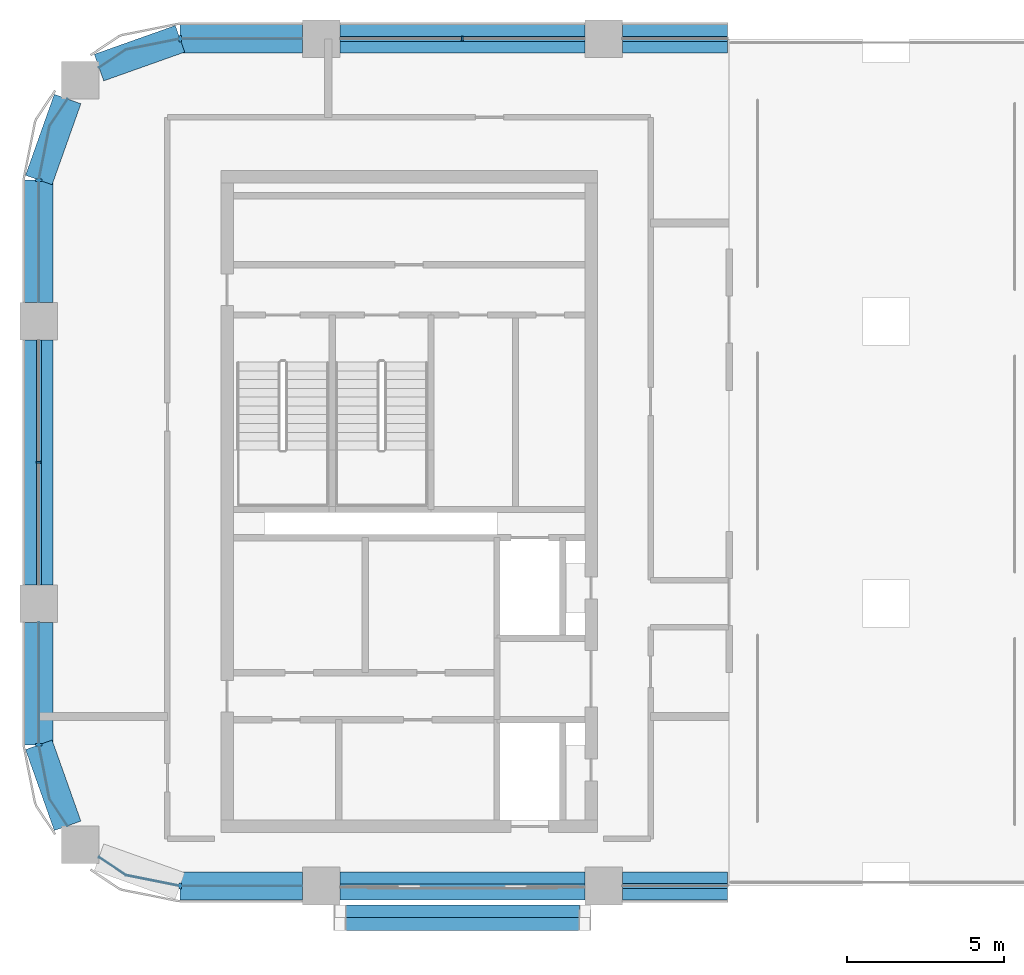
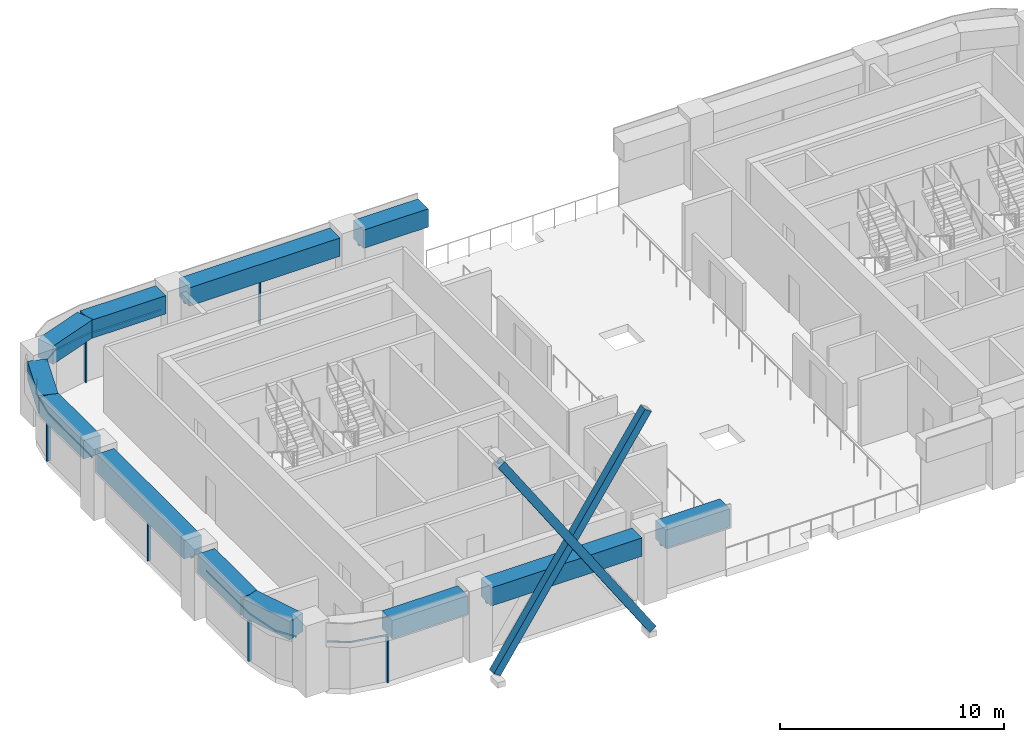
# One storey, part 2 of 11: 17 members, 12 beams, 9 elements without a shape of their own.
"""IFC4 building model written with IfcOpenShell, lengths in metres."""

from ifc_helpers import new_model, si_unit, direction, frame, origin, origin_2d, place, context, subcontext, project, spatial, polyline, rectangle, hollow_rectangle, outline, extrude, material, material_profile, profile_set, type_object, element, aggregate, save


model = new_model("IFC4")

# Units and contexts
model_context = context("Model", 3, precision=1e-05, world=origin(), true_north=direction((0.0, 1.0)))
body_context = subcontext(model_context, "Body", "Model", "MODEL_VIEW")
ifc_project = project(units=[si_unit("LENGTHUNIT", "METRE"), si_unit("AREAUNIT", "SQUARE_METRE"), si_unit("VOLUMEUNIT", "CUBIC_METRE"), si_unit("PLANEANGLEUNIT", "RADIAN"), si_unit("MASSUNIT", "GRAM", prefix="KILO")], contexts=[model_context])

# Site, building, storey
site_placement = place(None, origin())
site = spatial("IfcSite", under=ifc_project, at=site_placement, CompositionType="ELEMENT")
building_placement = place(site_placement, origin())
building = spatial("IfcBuilding", under=site, at=building_placement, Name="Tessera Arch", CompositionType="ELEMENT")
storey_placement = place(building_placement, frame((0.0, 0.0, 203.300048828125)))
storey = spatial("IfcBuildingStorey", under=building, at=storey_placement, Name="L48", CompositionType="ELEMENT", Elevation=203.300048828125)

# Members
ifc_material_1 = material(Name="Steel A500 Gr C", Category="steel")
ifc_material_profile_1 = material_profile(ifc_material_1, hollow_rectangle(XDim=0.406494140625, YDim=0.406494140625, WallThickness=0.0146484375, at=origin_2d()), Name="HSS16x16x5/8")
ifc_profile_set_1 = profile_set([ifc_material_profile_1], Name="Steel A500 Gr C")
member_type_1 = type_object("IfcMemberType", Name="Brace HSS16x16x5/8 Steel A500 Gr C", PredefinedType="BRACE", material=ifc_profile_set_1)
for number, where, z_axis, x_axis, name in (
    (1, (9.60009765625, 26.19677734375, -0.800048828125), (0.55469218281, 0.0, 0.832055636559), (0.0, 1.0, 0.0), "Brace S27.0-0 A L48-L50"),
    (2, (17.39990234375, 25.790283203125, -0.800048828125), (-0.55469218281, 0.0, 0.832055636559), (0.0, -1.0, 0.0), "Brace S27.0-0 B L48-L50"),
):
    element("IfcMember", number, at=place(storey_placement, frame(where, z_axis=z_axis, x_axis=x_axis)), inside=storey, type_object=member_type_1, Name=name, PredefinedType="BRACE", context=body_context, shape_type="SweptSolid", body=[
        extrude(hollow_rectangle(XDim=0.406494140625, YDim=0.406494140625, WallThickness=0.0146484375, at=origin_2d()), origin(), (0.0, 0.0, 1.0), 14.0615234375),
    ])

# Curtain wall, member
ifc_material_2 = material(Name="CW1 curtain wall")
curtain_wall_type_1 = type_object("IfcCurtainWallType", Name="CW1 curtain wall", PredefinedType="NOTDEFINED", material=ifc_material_2)
curtain_wall_1_placement = place(storey_placement, origin())
curtain_wall_1 = element("IfcCurtainWall", 3, at=curtain_wall_1_placement, inside=storey, type_object=curtain_wall_type_1, Name="CW1 curtain wall N54.0/1 L48", PredefinedType="NOTDEFINED")
ifc_material_3 = material(Name="Anodised aluminium pale metal", Category="aluminium")
ifc_material_profile_2 = material_profile(ifc_material_3, rectangle(XDim=0.159912109375, YDim=0.06005859375, at=origin_2d()), Name="AL 60x160")
ifc_profile_set_2 = profile_set([ifc_material_profile_2], Name="Anodised aluminium pale metal")
member_type_2 = type_object("IfcMemberType", Name="CW1 mullion", PredefinedType="MULLION", material=ifc_profile_set_2)
member_1_placement = place(storey_placement, frame((13.5, 54.0, 0.0), z_axis=(0.0, 0.0, 1.0), x_axis=(0.0, -1.0, 0.0)))
member_1 = element("IfcMember", 4, at=member_1_placement, type_object=member_type_2, Name="CW1 mullion N54.0/1 1", PredefinedType="MULLION", context=body_context, shape_type="SweptSolid", body=[
    extrude(rectangle(XDim=0.159912109375, YDim=0.06005859375, at=origin_2d()), origin(), (0.0, 0.0, 1.0), 2.5),
])

curtain_wall_2_placement = place(storey_placement, origin())
curtain_wall_2 = element("IfcCurtainWall", 5, at=curtain_wall_2_placement, inside=storey, type_object=curtain_wall_type_1, Name="CW1 curtain wall W0.27/1 L48", PredefinedType="NOTDEFINED")
member_2_placement = place(storey_placement, frame((0.0, 40.5, 0.0), z_axis=(0.0, 0.0, 1.0), x_axis=(1.0, 0.0, 0.0)))
member_2 = element("IfcMember", 6, at=member_2_placement, type_object=member_type_2, Name="CW1 mullion W0.27/1 1", PredefinedType="MULLION", context=body_context, shape_type="SweptSolid", body=[
    extrude(rectangle(XDim=0.159912109375, YDim=0.06005859375, at=origin_2d()), origin(), (0.0, 0.0, 1.0), 2.5),
])

curtain_wall_3_placement = place(storey_placement, origin())
curtain_wall_3 = element("IfcCurtainWall", 7, at=curtain_wall_3_placement, inside=storey, type_object=curtain_wall_type_1, Name="CW1 curtain wall S27.0/1 L48", PredefinedType="NOTDEFINED")
ifc_material_4 = material(Name="Anodised aluminium pale metal", Category="aluminium")
ifc_material_profile_3 = material_profile(ifc_material_4, rectangle(XDim=0.159912109375, YDim=0.10009765625, at=origin_2d()), Name="AL 160x100")
ifc_profile_set_3 = profile_set([ifc_material_profile_3], Name="Anodised aluminium pale metal")
member_type_3 = type_object("IfcMemberType", Name="CW1 transom", PredefinedType="USERDEFINED", material=ifc_profile_set_3)
member_3_placement = place(storey_placement, frame((18.60009765625, 27.0, 2.550048828125), z_axis=(1.0, 0.0, 0.0), x_axis=(0.0, 1.0, 0.0)))
member_3 = element("IfcMember", 8, at=member_3_placement, type_object=member_type_3, Name="CW1 transom S27.0/1 1.1", ObjectType="TRANSOM", PredefinedType="USERDEFINED", context=body_context, shape_type="SweptSolid", body=[
    extrude(rectangle(XDim=0.159912109375, YDim=0.10009765625, at=origin_2d()), origin(), (0.0, 0.0, 1.0), 3.349853515625),
])
aggregate(curtain_wall_3, [member_3])

curtain_wall_4_placement = place(storey_placement, origin())
curtain_wall_4 = element("IfcCurtainWall", 9, at=curtain_wall_4_placement, inside=storey, type_object=curtain_wall_type_1, Name="CW1 curtain wall N54.0/0 L48", PredefinedType="NOTDEFINED")
member_4_placement = place(storey_placement, frame((21.949951171875, 54.0, 2.550048828125), z_axis=(-1.0, 0.0, 0.0), x_axis=(0.0, -1.0, 0.0)))
member_4 = element("IfcMember", 10, at=member_4_placement, type_object=member_type_3, Name="CW1 transom N54.0/0 1.1", ObjectType="TRANSOM", PredefinedType="USERDEFINED", context=body_context, shape_type="SweptSolid", body=[
    extrude(rectangle(XDim=0.159912109375, YDim=0.10009765625, at=origin_2d()), origin(), (0.0, 0.0, 1.0), 3.349853515625),
])
aggregate(curtain_wall_4, [member_4])

# Member
member_5_placement = place(storey_placement, frame((17.39990234375, 54.0, 2.550048828125), z_axis=(-1.0, 0.0, 0.0), x_axis=(0.0, -1.0, 0.0)))
member_5 = element("IfcMember", 11, at=member_5_placement, type_object=member_type_3, Name="CW1 transom N54.0/1 1.1", ObjectType="TRANSOM", PredefinedType="USERDEFINED", context=body_context, shape_type="SweptSolid", body=[
    extrude(rectangle(XDim=0.159912109375, YDim=0.10009765625, at=origin_2d()), origin(), (0.0, 0.0, 1.0), 7.7998046875),
])

aggregate(curtain_wall_1, [member_1, member_5])

member_6_placement = place(storey_placement, frame((0.0, 44.39990234375, 2.550048828125), z_axis=(0.0, -1.0, 0.0), x_axis=(1.0, 0.0, 0.0)))
member_6 = element("IfcMember", 12, at=member_6_placement, type_object=member_type_3, Name="CW1 transom W0.27/1 1.1", ObjectType="TRANSOM", PredefinedType="USERDEFINED", context=body_context, shape_type="SweptSolid", body=[
    extrude(rectangle(XDim=0.159912109375, YDim=0.10009765625, at=origin_2d()), origin(), (0.0, 0.0, 1.0), 7.7998046875),
])

aggregate(curtain_wall_2, [member_2, member_6])

# Curtain wall, member
ifc_material_5 = material(Name="CW2 curtain wall")
curtain_wall_type_2 = type_object("IfcCurtainWallType", Name="CW2 curtain wall", PredefinedType="NOTDEFINED", material=ifc_material_5)
curtain_wall_5_placement = place(storey_placement, origin())
curtain_wall_5 = element("IfcCurtainWall", 13, at=curtain_wall_5_placement, inside=storey, type_object=curtain_wall_type_2, Name="CW2 curtain wall N54.0/2 L48", PredefinedType="NOTDEFINED")
ifc_material_6 = material(Name="Anodised aluminium pale metal", Category="aluminium")
ifc_material_profile_4 = material_profile(ifc_material_6, rectangle(XDim=0.199951171875, YDim=0.080078125, at=origin_2d()), Name="AL 80x200")
ifc_profile_set_4 = profile_set([ifc_material_profile_4], Name="Anodised aluminium pale metal")
member_type_4 = type_object("IfcMemberType", Name="CW2 mullion", PredefinedType="MULLION", material=ifc_profile_set_4)
member_7_placement = place(storey_placement, frame((4.5, 54.0, 0.0), z_axis=(0.0, 0.0, 1.0), x_axis=(0.0, -1.0, 0.0)))
member_7 = element("IfcMember", 14, at=member_7_placement, type_object=member_type_4, Name="CW2 mullion N54.0/2 1", PredefinedType="MULLION", context=body_context, shape_type="SweptSolid", body=[
    extrude(rectangle(XDim=0.199951171875, YDim=0.080078125, at=origin_2d()), origin(), (0.0, 0.0, 1.0), 2.5),
])

curtain_wall_6_placement = place(storey_placement, origin())
curtain_wall_6 = element("IfcCurtainWall", 15, at=curtain_wall_6_placement, inside=storey, type_object=curtain_wall_type_2, Name="CW2 curtain wall W0.27/0 L48", PredefinedType="NOTDEFINED")
member_8_placement = place(storey_placement, frame((0.0, 49.5, 0.0), z_axis=(0.0, 0.0, 1.0), x_axis=(1.0, 0.0, 0.0)))
member_8 = element("IfcMember", 16, at=member_8_placement, type_object=member_type_4, Name="CW2 mullion W0.27/0 1", PredefinedType="MULLION", context=body_context, shape_type="SweptSolid", body=[
    extrude(rectangle(XDim=0.199951171875, YDim=0.080078125, at=origin_2d()), origin(), (0.0, 0.0, 1.0), 2.5),
])

curtain_wall_7_placement = place(storey_placement, origin())
curtain_wall_7 = element("IfcCurtainWall", 17, at=curtain_wall_7_placement, inside=storey, type_object=curtain_wall_type_2, Name="CW2 curtain wall W0.27/2 L48", PredefinedType="NOTDEFINED")
member_9_placement = place(storey_placement, frame((0.0, 31.5, 0.0), z_axis=(0.0, 0.0, 1.0), x_axis=(1.0, 0.0, 0.0)))
member_9 = element("IfcMember", 18, at=member_9_placement, type_object=member_type_4, Name="CW2 mullion W0.27/2 1", PredefinedType="MULLION", context=body_context, shape_type="SweptSolid", body=[
    extrude(rectangle(XDim=0.199951171875, YDim=0.080078125, at=origin_2d()), origin(), (0.0, 0.0, 1.0), 2.5),
])

curtain_wall_8_placement = place(storey_placement, origin())
curtain_wall_8 = element("IfcCurtainWall", 19, at=curtain_wall_8_placement, inside=storey, type_object=curtain_wall_type_2, Name="CW2 curtain wall S27.0/2 L48", PredefinedType="NOTDEFINED")
member_10_placement = place(storey_placement, frame((4.5, 27.0, 0.0), z_axis=(0.0, 0.0, 1.0), x_axis=(0.0, 1.0, 0.0)))
member_10 = element("IfcMember", 20, at=member_10_placement, type_object=member_type_4, Name="CW2 mullion S27.0/2 1", PredefinedType="MULLION", context=body_context, shape_type="SweptSolid", body=[
    extrude(rectangle(XDim=0.199951171875, YDim=0.080078125, at=origin_2d()), origin(), (0.0, 0.0, 1.0), 2.5),
])

# Member
ifc_material_7 = material(Name="Anodised aluminium pale metal", Category="aluminium")
ifc_material_profile_5 = material_profile(ifc_material_7, rectangle(XDim=0.199951171875, YDim=0.10009765625, at=origin_2d()), Name="AL 200x100")
ifc_profile_set_5 = profile_set([ifc_material_profile_5], Name="Anodised aluminium pale metal")
member_type_5 = type_object("IfcMemberType", Name="CW2 transom", PredefinedType="USERDEFINED", material=ifc_profile_set_5)
member_11_placement = place(storey_placement, frame((0.0, 0.0, 2.5)))
member_11 = element("IfcMember", 21, at=member_11_placement, type_object=member_type_5, Name="CW2 transom N54.0/2 1", ObjectType="TRANSOM", PredefinedType="USERDEFINED", context=body_context, shape_type="SweptSolid", body=[
    extrude(outline(polyline([(4.5009765625, 53.989990234375), (8.39990234375, 53.989990234375), (8.39990234375, 54.010009765625), (4.4990234375, 54.010009765625), (2.77392578125, 53.6669921875), (1.912353515625, 53.09130859375), (1.923583984375, 53.07470703125), (2.78173828125, 53.648193359375), (4.5009765625, 53.989990234375)])), origin(), (0.0, 0.0, 1.0), 0.099853515625),
])

aggregate(curtain_wall_5, [member_7, member_11])

member_12_placement = place(storey_placement, frame((0.0, 0.0, 2.5)))
member_12 = element("IfcMember", 22, at=member_12_placement, type_object=member_type_5, Name="CW2 transom W0.27/0 1", ObjectType="TRANSOM", PredefinedType="USERDEFINED", context=body_context, shape_type="SweptSolid", body=[
    extrude(outline(polyline([(0.351806640625, 51.21826171875), (0.92529296875, 52.076416015625), (0.90869140625, 52.087646484375), (0.3330078125, 51.22607421875), (-0.010009765625, 49.5009765625), (-0.010009765625, 45.60009765625), (0.010009765625, 45.60009765625), (0.010009765625, 49.4990234375), (0.351806640625, 51.21826171875)])), origin(), (0.0, 0.0, 1.0), 0.099853515625),
])

aggregate(curtain_wall_6, [member_8, member_12])

member_13_placement = place(storey_placement, frame((0.0, 0.0, 2.5)))
member_13 = element("IfcMember", 23, at=member_13_placement, type_object=member_type_5, Name="CW2 transom W0.27/2 1", ObjectType="TRANSOM", PredefinedType="USERDEFINED", context=body_context, shape_type="SweptSolid", body=[
    extrude(outline(polyline([(0.010009765625, 31.5009765625), (0.010009765625, 35.39990234375), (-0.010009765625, 35.39990234375), (-0.010009765625, 31.4990234375), (0.3330078125, 29.77392578125), (0.90869140625, 28.912353515625), (0.92529296875, 28.923583984375), (0.351806640625, 29.78173828125), (0.010009765625, 31.5009765625)])), origin(), (0.0, 0.0, 1.0), 0.099853515625),
])

aggregate(curtain_wall_7, [member_9, member_13])

member_14_placement = place(storey_placement, frame((0.0, 0.0, 2.5)))
member_14 = element("IfcMember", 24, at=member_14_placement, type_object=member_type_5, Name="CW2 transom S27.0/2 1", ObjectType="TRANSOM", PredefinedType="USERDEFINED", context=body_context, shape_type="SweptSolid", body=[
    extrude(outline(polyline([(2.78173828125, 27.351806640625), (1.923583984375, 27.92529296875), (1.912353515625, 27.90869140625), (2.77392578125, 27.3330078125), (4.4990234375, 26.989990234375), (8.39990234375, 26.989990234375), (8.39990234375, 27.010009765625), (4.5009765625, 27.010009765625), (2.78173828125, 27.351806640625)])), origin(), (0.0, 0.0, 1.0), 0.099853515625),
])

aggregate(curtain_wall_8, [member_10, member_14])

# Curtain wall, member
ifc_material_8 = material(Name="CW3 curtain wall")
curtain_wall_type_3 = type_object("IfcCurtainWallType", Name="CW3 curtain wall", PredefinedType="NOTDEFINED", material=ifc_material_8)
curtain_wall_9_placement = place(storey_placement, origin())
curtain_wall_9 = element("IfcCurtainWall", 25, at=curtain_wall_9_placement, inside=storey, type_object=curtain_wall_type_3, Name="CW3 curtain wall S27.0/0 L48", PredefinedType="NOTDEFINED")
ifc_material_9 = material(Name="Anodised aluminium pale metal", Category="aluminium")
ifc_material_profile_6 = material_profile(ifc_material_9, rectangle(XDim=0.139892578125, YDim=0.10009765625, at=origin_2d()), Name="AL 140x100")
ifc_profile_set_6 = profile_set([ifc_material_profile_6], Name="Anodised aluminium pale metal")
member_type_6 = type_object("IfcMemberType", Name="CW3 transom", PredefinedType="USERDEFINED", material=ifc_profile_set_6)
member_15_placement = place(storey_placement, frame((9.60009765625, 27.0, 2.550048828125), z_axis=(1.0, 0.0, 0.0), x_axis=(0.0, 1.0, 0.0)))
member_15 = element("IfcMember", 26, at=member_15_placement, type_object=member_type_6, Name="CW3 transom S27.0/0 1.1", ObjectType="TRANSOM", PredefinedType="USERDEFINED", context=body_context, shape_type="SweptSolid", body=[
    extrude(rectangle(XDim=0.139892578125, YDim=0.10009765625, at=origin_2d()), origin(), (0.0, 0.0, 1.0), 7.7998046875),
])
aggregate(curtain_wall_9, [member_15])

# Beams
ifc_material_10 = material(Name="Concrete C60/75", Category="concrete")
ifc_material_profile_7 = material_profile(ifc_material_10, rectangle(XDim=0.89990234375, YDim=1.0, at=origin_2d()), Name="RC spandrel beam 900 x 1000 Concrete C60/75")
ifc_profile_set_7 = profile_set([ifc_material_profile_7], Name="Concrete C60/75")
beam_type = type_object("IfcBeamType", Name="RC spandrel beam 900 x 1000 Concrete C60/75", PredefinedType="BEAM", material=ifc_profile_set_7)
beam_1_placement = place(storey_placement, frame((9.60009765625, 27.0, 3.099853515625), z_axis=(1.0, 0.0, 0.0), x_axis=(0.0, 1.0, 0.0)))
element("IfcBeam", 27, at=beam_1_placement, inside=storey, type_object=beam_type, Name="Spandrel beam L48 S27.0/0", PredefinedType="BEAM", context=body_context, shape_type="SweptSolid", body=[
    extrude(rectangle(XDim=0.89990234375, YDim=1.0, at=origin_2d()), origin(), (0.0, 0.0, 1.0), 7.7998046875),
])
for number, where, z_axis, x_axis, name in (
    (28, (18.60009765625, 27.0, 3.099853515625), (1.0, 0.0, 0.0), (0.0, 1.0, 0.0), "Spandrel beam L48 S27.0/1"),
    (29, (21.949951171875, 54.0, 3.099853515625), (-1.0, 0.0, 0.0), (0.0, -1.0, 0.0), "Spandrel beam L48 N54.0/0"),
):
    element("IfcBeam", number, at=place(storey_placement, frame(where, z_axis=z_axis, x_axis=x_axis)), inside=storey, type_object=beam_type, Name=name, PredefinedType="BEAM", context=body_context, shape_type="SweptSolid", body=[
        extrude(rectangle(XDim=0.89990234375, YDim=1.0, at=origin_2d()), origin(), (0.0, 0.0, 1.0), 3.349853515625),
    ])
beam_2_placement = place(storey_placement, frame((17.39990234375, 54.0, 3.099853515625), z_axis=(-1.0, 0.0, 0.0), x_axis=(0.0, -1.0, 0.0)))
element("IfcBeam", 30, at=beam_2_placement, inside=storey, type_object=beam_type, Name="Spandrel beam L48 N54.0/1", PredefinedType="BEAM", context=body_context, shape_type="SweptSolid", body=[
    extrude(rectangle(XDim=0.89990234375, YDim=1.0, at=origin_2d()), origin(), (0.0, 0.0, 1.0), 7.7998046875),
])
beam_3_placement = place(storey_placement, frame((8.39990234375, 54.0, 3.099853515625), z_axis=(-1.0, 0.0, 0.0), x_axis=(0.0, -1.0, 0.0)))
element("IfcBeam", 31, at=beam_3_placement, inside=storey, type_object=beam_type, Name="Spandrel beam L48 N54.0/2.1", PredefinedType="BEAM", context=body_context, shape_type="SweptSolid", body=[
    extrude(rectangle(XDim=0.89990234375, YDim=1.0, at=origin_2d()), origin(), (0.0, 0.0, 1.0), 3.89990234375),
])
for number, where, z_axis, x_axis, name in (
    (32, (4.5, 54.0, 3.099853515625), (-0.942337127159, -0.334665114373, 0.0), (0.334665114373, -0.942337127159, 0.0), "Spandrel beam L48 N54.0/2.2"),
    (33, (0.9169921875, 52.08203125, 3.099853515625), (-0.334665114373, -0.942337127159, 0.0), (0.942337127159, -0.334665114373, 0.0), "Spandrel beam L48 W0.27/0.1"),
):
    element("IfcBeam", number, at=place(storey_placement, frame(where, z_axis=z_axis, x_axis=x_axis)), inside=storey, type_object=beam_type, Name=name, PredefinedType="BEAM", context=body_context, shape_type="SweptSolid", body=[
        extrude(rectangle(XDim=0.89990234375, YDim=1.0, at=origin_2d()), origin(), (0.0, 0.0, 1.0), 2.739990234375),
    ])
beam_4_placement = place(storey_placement, frame((0.0, 49.5, 3.099853515625), z_axis=(0.0, -1.0, 0.0), x_axis=(1.0, 0.0, 0.0)))
element("IfcBeam", 34, at=beam_4_placement, inside=storey, type_object=beam_type, Name="Spandrel beam L48 W0.27/0.2", PredefinedType="BEAM", context=body_context, shape_type="SweptSolid", body=[
    extrude(rectangle(XDim=0.89990234375, YDim=1.0, at=origin_2d()), origin(), (0.0, 0.0, 1.0), 3.89990234375),
])
beam_5_placement = place(storey_placement, frame((0.0, 44.39990234375, 3.099853515625), z_axis=(0.0, -1.0, 0.0), x_axis=(1.0, 0.0, 0.0)))
element("IfcBeam", 35, at=beam_5_placement, inside=storey, type_object=beam_type, Name="Spandrel beam L48 W0.27/1", PredefinedType="BEAM", context=body_context, shape_type="SweptSolid", body=[
    extrude(rectangle(XDim=0.89990234375, YDim=1.0, at=origin_2d()), origin(), (0.0, 0.0, 1.0), 7.7998046875),
])
beam_6_placement = place(storey_placement, frame((0.0, 35.39990234375, 3.099853515625), z_axis=(0.0, -1.0, 0.0), x_axis=(1.0, 0.0, 0.0)))
element("IfcBeam", 36, at=beam_6_placement, inside=storey, type_object=beam_type, Name="Spandrel beam L48 W0.27/2.1", PredefinedType="BEAM", context=body_context, shape_type="SweptSolid", body=[
    extrude(rectangle(XDim=0.89990234375, YDim=1.0, at=origin_2d()), origin(), (0.0, 0.0, 1.0), 3.89990234375),
])
beam_7_placement = place(storey_placement, frame((0.0, 31.5, 3.099853515625), z_axis=(0.334665114373, -0.942337127159, 0.0), x_axis=(0.942337127159, 0.334665114373, 0.0)))
element("IfcBeam", 37, at=beam_7_placement, inside=storey, type_object=beam_type, Name="Spandrel beam L48 W0.27/2.2", PredefinedType="BEAM", context=body_context, shape_type="SweptSolid", body=[
    extrude(rectangle(XDim=0.89990234375, YDim=1.0, at=origin_2d()), origin(), (0.0, 0.0, 1.0), 2.739990234375),
])
beam_8_placement = place(storey_placement, frame((4.5, 27.0, 3.099853515625), z_axis=(1.0, 0.0, 0.0), x_axis=(0.0, 1.0, 0.0)))
element("IfcBeam", 38, at=beam_8_placement, inside=storey, type_object=beam_type, Name="Spandrel beam L48 S27.0/2.2", PredefinedType="BEAM", context=body_context, shape_type="SweptSolid", body=[
    extrude(rectangle(XDim=0.89990234375, YDim=1.0, at=origin_2d()), origin(), (0.0, 0.0, 1.0), 3.89990234375),
])

save(model, "model.ifc")
